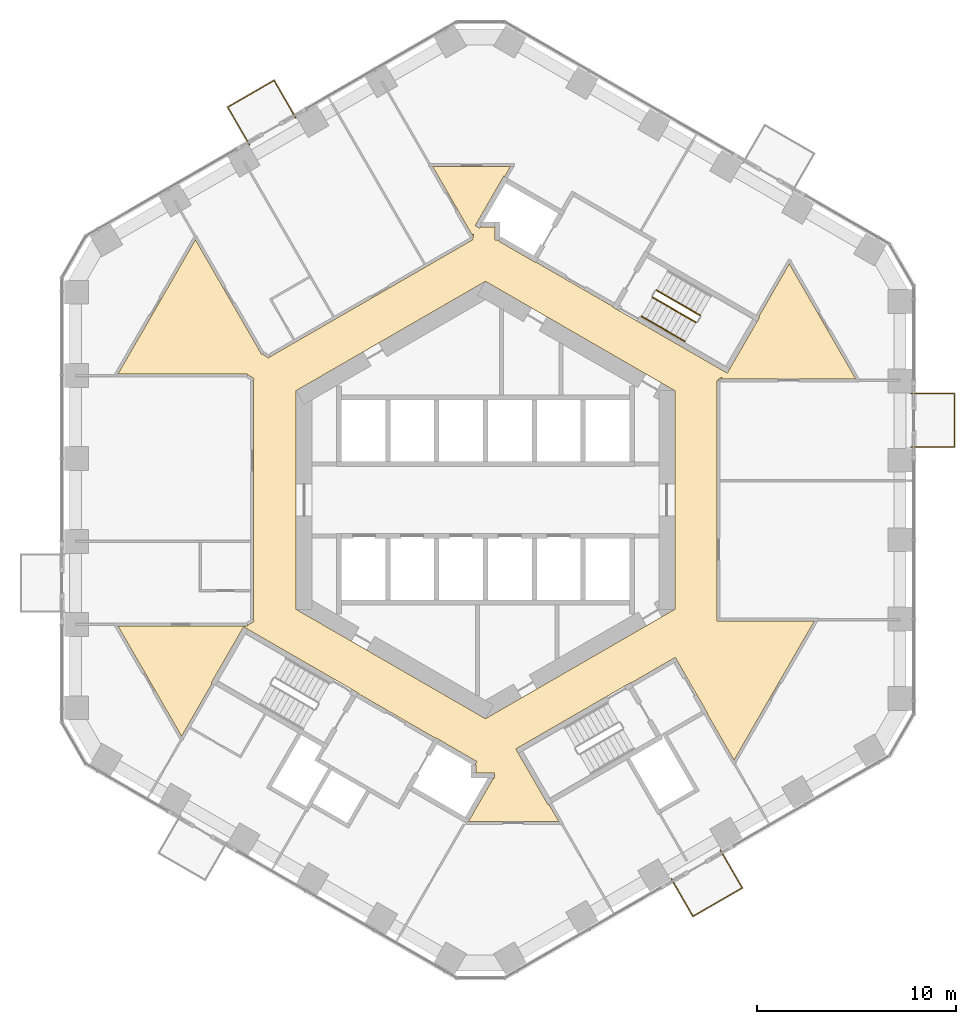
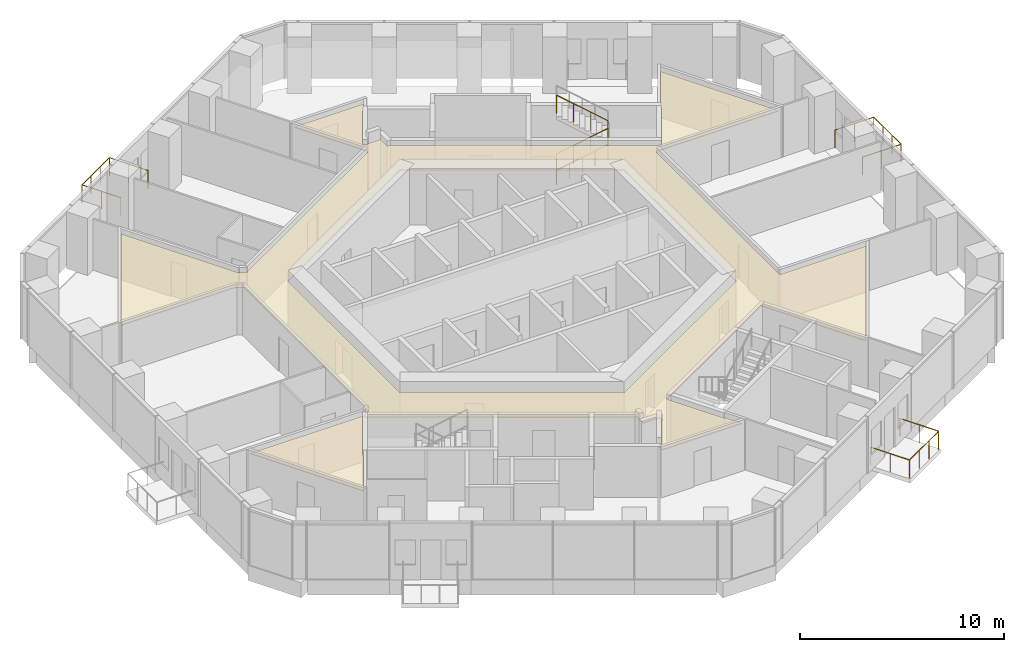
# One storey, part 18 of 19: 7 railings, 1 covering.
"""IFC4 building model written with IfcOpenShell, lengths in metres."""

import ifcopenshell
import ifcopenshell.guid

model = None  # the IFC model being written
_history = None  # IfcOwnerHistory: only IFC2X3 demands one
_inside = {}  # id of a spatial element -> (the spatial element, [elements in it])
_under = {}  # id of a project, library or spatial element -> (it, [spatial elements below it])
_declared = {}  # id of a project -> (the project, [libraries it declares])
_typed = {}  # id of a type object -> (the type object, [elements of that type])
_made_of = {}  # id of a material, layer set ... -> (it, [elements and type objects made of it])


def new_model(schema):
    """Start an empty IFC model of exactly this schema.

    Asked for "IFC4X3", IfcOpenShell would pick the latest addendum, in which some entities
    have other attributes; the version numbers below select the first issue.
    IFC2X3 requires an IfcOwnerHistory on every rooted entity: one is made here for all.
    """
    global model, _history
    if schema == "IFC4X3":
        model = ifcopenshell.file(schema_version=(4, 3, 0, 0))
    else:
        model = ifcopenshell.file(schema=schema)
    _inside.clear()
    _under.clear()
    _declared.clear()
    _typed.clear()
    _made_of.clear()
    _history = None
    if model.schema == "IFC2X3":
        org = make("IfcOrganization", Name="unknown")
        user = make(
            "IfcPersonAndOrganization",
            ThePerson=make("IfcPerson", FamilyName="unknown"),
            TheOrganization=org,
        )
        app = make(
            "IfcApplication",
            ApplicationDeveloper=org,
            Version="unknown",
            ApplicationFullName="unknown",
            ApplicationIdentifier="unknown",
        )
        _history = make(
            "IfcOwnerHistory",
            OwningUser=user,
            OwningApplication=app,
            ChangeAction="ADDED",
            CreationDate=0,
        )
    return model


def make(cls, **values):
    """One entity of the class cls with the attributes given. An attribute that is None is left unset."""
    return model.create_entity(
        cls, **{name: value for name, value in values.items() if value is not None}
    )


def rooted(cls, **values):
    """An entity with a GlobalId (a new one), such as an element, a storey or a relation."""
    return make(cls, GlobalId=ifcopenshell.guid.new(), OwnerHistory=_history, **values)


def si_unit(unit_type, name, prefix=None):
    """IfcSIUnit, for example si_unit("LENGTHUNIT", "METRE", prefix="MILLI")."""
    return make("IfcSIUnit", UnitType=unit_type, Prefix=prefix, Name=name)


def assignment(units):
    """IfcUnitAssignment: the units of a project."""
    return None if units is None else make("IfcUnitAssignment", Units=units)


def point(xyz):
    """IfcCartesianPoint."""
    return None if xyz is None else make("IfcCartesianPoint", Coordinates=xyz)


def direction(xyz):
    """IfcDirection."""
    return None if xyz is None else make("IfcDirection", DirectionRatios=xyz)


def frame(location, z_axis=None, x_axis=None):
    """IfcAxis2Placement3D, a coordinate frame: its origin and axes. An axis left out is left unset."""
    return make(
        "IfcAxis2Placement3D",
        Location=point(location),
        Axis=direction(z_axis),
        RefDirection=direction(x_axis),
    )


def frame_2d(location, x_axis=None):
    """IfcAxis2Placement2D, a coordinate frame in the plane: its origin and x axis."""
    return make(
        "IfcAxis2Placement2D", Location=point(location), RefDirection=direction(x_axis)
    )


def origin():
    """The frame at (0, 0, 0) with its axes left unset."""
    return frame((0.0, 0.0, 0.0))


def origin_2d():
    """The frame at (0, 0) in the plane with its x axis left unset."""
    return frame_2d((0.0, 0.0))


def place(relative_to, where):
    """IfcLocalPlacement: puts the frame where relative to a parent placement (None: the world)."""
    return make(
        "IfcLocalPlacement", PlacementRelTo=relative_to, RelativePlacement=where
    )


def context(
    kind, dimensions, precision=None, world=None, true_north=None, identifier=None
):
    """IfcGeometricRepresentationContext, for example the 3D "Model" context."""
    return make(
        "IfcGeometricRepresentationContext",
        ContextIdentifier=identifier,
        ContextType=kind,
        CoordinateSpaceDimension=dimensions,
        Precision=precision,
        WorldCoordinateSystem=world,
        TrueNorth=true_north,
    )


def subcontext(parent, identifier, kind, view, scale=None):
    """IfcGeometricRepresentationSubContext, for example "Body" below "Model"."""
    return make(
        "IfcGeometricRepresentationSubContext",
        ContextIdentifier=identifier,
        ContextType=kind,
        ParentContext=parent,
        TargetScale=scale,
        TargetView=view,
    )


def project(units=None, contexts=None):
    """IfcProject with its units and contexts."""
    return rooted(
        "IfcProject",
        Name="project",
        RepresentationContexts=contexts,
        UnitsInContext=assignment(units),
    )


def spatial(cls, under=None, at=None, **own):
    """A site, building, storey or space (cls), placed at a placement, below another one or the project."""
    s = rooted(cls, ObjectPlacement=at, **own)
    if under is not None:
        _under.setdefault(under.id(), (under, []))[1].append(s)
    return s


def polyline(points):
    """IfcPolyline through the points."""
    return make("IfcPolyline", Points=[point(p) for p in points])


def profile(cls, at=None, kind="AREA", **sizes):
    """A parametric profile (cls). Its sizes go by their IFC names, for example OverallWidth=200.0."""
    return make(cls, ProfileType=kind, Position=at, **sizes)


def circle(**sizes):
    """IfcCircleProfileDef."""
    return profile("IfcCircleProfileDef", **sizes)


def outline(outer, holes=None, kind="AREA"):
    """IfcArbitraryClosedProfileDef: a profile drawn as a closed curve; with holes, ...WithVoids."""
    if holes is None:
        return make("IfcArbitraryClosedProfileDef", ProfileType=kind, OuterCurve=outer)
    return make(
        "IfcArbitraryProfileDefWithVoids",
        ProfileType=kind,
        OuterCurve=outer,
        InnerCurves=holes,
    )


def extrude(swept, where, along, depth):
    """IfcExtrudedAreaSolid: the profile swept, set in the frame where, extruded along a direction by depth."""
    return make(
        "IfcExtrudedAreaSolid",
        SweptArea=swept,
        Position=where,
        ExtrudedDirection=direction(along),
        Depth=depth,
    )


def shape(context_of_items, identifier, shape_type, items):
    """IfcShapeRepresentation: the items that make up one representation, for example the "Body"."""
    return make(
        "IfcShapeRepresentation",
        ContextOfItems=context_of_items,
        RepresentationIdentifier=identifier,
        RepresentationType=shape_type,
        Items=items,
    )


def material(Name=None, Category=None):
    """IfcMaterial."""
    return make("IfcMaterial", Name=Name, Category=Category)


def layer(
    of_material, thickness, ventilated=None, Name=None, Category=None, Priority=None
):
    """IfcMaterialLayer: one layer of a wall or slab, of a material (None: an air gap)."""
    return make(
        "IfcMaterialLayer",
        Material=of_material,
        LayerThickness=thickness,
        IsVentilated=ventilated,
        Name=Name,
        Category=Category,
        Priority=Priority,
    )


def layer_set(layers, Name=None):
    """IfcMaterialLayerSet."""
    return make("IfcMaterialLayerSet", MaterialLayers=layers, LayerSetName=Name)


def made_of(thing, what):
    """Note that an element or type object is made of a material, layer set ...; save() writes the relation."""
    if what is not None:
        _made_of.setdefault(what.id(), (what, []))[1].append(thing)
    return thing


def type_object(cls, material=None, **own):
    """A type object (cls), such as IfcWallType, which elements share."""
    return made_of(rooted(cls, **own), material)


def element(
    cls,
    number,
    at=None,
    inside=None,
    cuts=None,
    type_object=None,
    material=None,
    context=None,
    identifier="Body",
    shape_type=None,
    held_by="IfcProductDefinitionShape",
    body=None,
    shapes=None,
    **own,
):
    """One element of the class cls, such as IfcWall. Its Tag is "e" and its number.

    at: its placement. inside: the storey or other place that contains it. cuts: it is an
    opening in that element (IfcRelVoidsElement). A single representation is given by context,
    identifier, shape_type and body (its items); several are given by shapes. held_by: the class
    of the entity that holds the representations. save() writes the other relations.
    """
    e = rooted(cls, Tag="e%d" % number, ObjectPlacement=at, **own)
    if body is not None:
        shapes = [shape(context, identifier, shape_type, body)]
    if shapes is not None:
        e.Representation = make(held_by, Representations=shapes)
    if inside is not None:
        _inside.setdefault(inside.id(), (inside, []))[1].append(e)
    if cuts is not None:
        rooted(
            "IfcRelVoidsElement", RelatingBuildingElement=cuts, RelatedOpeningElement=e
        )
    if type_object is not None:
        _typed.setdefault(type_object.id(), (type_object, []))[1].append(e)
    return made_of(e, material)


def aggregate(whole, parts):
    """IfcRelAggregates: a whole, such as a stair, and the parts it consists of."""
    return rooted("IfcRelAggregates", RelatingObject=whole, RelatedObjects=parts)


def save(model, path):
    """Write the relations noted so far, then the file.

    IfcRelAggregates (storeys below a building ...), IfcRelContainedInSpatialStructure (elements
    in a storey), IfcRelDefinesByType, IfcRelAssociatesMaterial and IfcRelDeclares: one each for
    every whole, place, type object, material and project.
    """
    for whole, parts in _under.values():
        aggregate(whole, parts)
    for where, things in _inside.values():
        rooted(
            "IfcRelContainedInSpatialStructure",
            RelatedElements=things,
            RelatingStructure=where,
        )
    for kind, things in _typed.values():
        rooted("IfcRelDefinesByType", RelatedObjects=things, RelatingType=kind)
    for what, things in _made_of.values():
        rooted("IfcRelAssociatesMaterial", RelatedObjects=things, RelatingMaterial=what)
    for by, libraries in _declared.values():
        rooted("IfcRelDeclares", RelatingContext=by, RelatedDefinitions=libraries)
    model.write(path)


model = new_model("IFC4")

# Units and contexts
model_context = context("Model", 3, precision=1e-05, world=origin(), true_north=direction((0.0, 1.0)))
body_context = subcontext(model_context, "Body", "Model", "MODEL_VIEW")
ifc_project = project(units=[si_unit("LENGTHUNIT", "METRE"), si_unit("AREAUNIT", "SQUARE_METRE"), si_unit("VOLUMEUNIT", "CUBIC_METRE"), si_unit("PLANEANGLEUNIT", "RADIAN"), si_unit("MASSUNIT", "GRAM", prefix="KILO")], contexts=[model_context])

# Site, building, storey
site_placement = place(None, origin())
site = spatial("IfcSite", under=ifc_project, at=site_placement, CompositionType="ELEMENT")
building_placement = place(site_placement, origin())
building = spatial("IfcBuilding", under=site, at=building_placement, Name="Ayvan Gate Tower", CompositionType="ELEMENT")
storey_placement = place(building_placement, frame((0.0, 0.0, 39.10009765625)))
storey = spatial("IfcBuildingStorey", under=building, at=storey_placement, Name="L09", CompositionType="ELEMENT", Elevation=39.10009765625)

# Railings
ifc_material_1 = material(Name="Stainless steel 316 and laminated glass", Category="steel")
railing_type_1 = type_object("IfcRailingType", Name="Balcony balustrade 1100", PredefinedType="BALUSTRADE", material=ifc_material_1)
railing_1_placement = place(storey_placement, frame((-9.5078125, 19.145751953125, 0.0)))
element("IfcRailing", 1, at=railing_1_placement, inside=storey, type_object=railing_type_1, Name="Balcony balustrade BAL-L09-2", PredefinedType="BALUSTRADE", context=body_context, shape_type="SweptSolid", body=[
    extrude(circle(Radius=0.02490234375, at=origin_2d()), frame((0.0, 0.0, 1.0751953125), z_axis=(-0.500011965869, 0.866018495177, 0.0), x_axis=(-0.866018495177, -0.500011965869, 0.0)), (0.0, 0.0, 1.0), 2.18994140625),
    extrude(circle(Radius=0.02490234375, at=origin_2d()), frame((-1.094970703125, 1.896484375, 1.0751953125), z_axis=(-0.866051969105, -0.499953984692, 0.0), x_axis=(0.499953984692, -0.866051969105, 0.0)), (0.0, 0.0, 1.0), 2.677490234375),
    extrude(circle(Radius=0.02490234375, at=origin_2d()), frame((-3.413818359375, 0.557861328125, 1.0751953125), z_axis=(0.499963694393, -0.866046363822, 0.0), x_axis=(0.866046363822, 0.499963694393, 0.0)), (0.0, 0.0, 1.0), 2.190185546875),
    extrude(circle(Radius=0.02001953125, at=origin_2d()), origin(), (0.0, 0.0, 1.0), 1.050048828125),
    extrude(circle(Radius=0.02001953125, at=origin_2d()), frame((-0.54736328125, 0.9482421875, 0.0)), (0.0, 0.0, 1.0), 1.050048828125),
    extrude(circle(Radius=0.02001953125, at=origin_2d()), frame((-1.094970703125, 1.896484375, 0.0)), (0.0, 0.0, 1.0), 1.050048828125),
    extrude(circle(Radius=0.02001953125, at=origin_2d()), frame((-1.867919921875, 1.4501953125, 0.0)), (0.0, 0.0, 1.0), 1.050048828125),
    extrude(circle(Radius=0.02001953125, at=origin_2d()), frame((-2.640869140625, 1.004150390625, 0.0)), (0.0, 0.0, 1.0), 1.050048828125),
    extrude(circle(Radius=0.02001953125, at=origin_2d()), frame((-3.413818359375, 0.557861328125, 0.0)), (0.0, 0.0, 1.0), 1.050048828125),
    extrude(circle(Radius=0.02001953125, at=origin_2d()), frame((-2.8662109375, -0.390625, 0.0)), (0.0, 0.0, 1.0), 1.050048828125),
    extrude(circle(Radius=0.02001953125, at=origin_2d()), frame((-2.31884765625, -1.3388671875, 0.0)), (0.0, 0.0, 1.0), 1.050048828125),
])
railing_2_placement = place(storey_placement, frame((9.31787109375, -18.981201171875, 0.0)))
element("IfcRailing", 2, at=railing_2_placement, inside=storey, type_object=railing_type_1, Name="Balcony balustrade BAL-L09-5", PredefinedType="BALUSTRADE", context=body_context, shape_type="SweptSolid", body=[
    extrude(circle(Radius=0.02490234375, at=origin_2d()), frame((0.0, 0.0, 1.0751953125), z_axis=(0.499963694393, -0.866046363822, 0.0), x_axis=(0.866046363822, 0.499963694393, 0.0)), (0.0, 0.0, 1.0), 2.190185546875),
    extrude(circle(Radius=0.02490234375, at=origin_2d()), frame((1.094970703125, -1.896728515625, 1.0751953125), z_axis=(0.866019653938, 0.500009958894, 0.0), x_axis=(-0.500009958894, 0.866019653938, 0.0)), (0.0, 0.0, 1.0), 2.84228515625),
    extrude(circle(Radius=0.02490234375, at=origin_2d()), frame((3.556396484375, -0.4755859375, 1.0751953125), z_axis=(-0.500011965869, 0.866018495177, 0.0), x_axis=(-0.866018495177, -0.500011965869, 0.0)), (0.0, 0.0, 1.0), 2.18994140625),
    extrude(circle(Radius=0.02001953125, at=origin_2d()), origin(), (0.0, 0.0, 1.0), 1.050048828125),
    extrude(circle(Radius=0.02001953125, at=origin_2d()), frame((0.54736328125, -0.9482421875, 0.0)), (0.0, 0.0, 1.0), 1.050048828125),
    extrude(circle(Radius=0.02001953125, at=origin_2d()), frame((1.094970703125, -1.896728515625, 0.0)), (0.0, 0.0, 1.0), 1.050048828125),
    extrude(circle(Radius=0.02001953125, at=origin_2d()), frame((1.91552734375, -1.423095703125, 0.0)), (0.0, 0.0, 1.0), 1.050048828125),
    extrude(circle(Radius=0.02001953125, at=origin_2d()), frame((2.73583984375, -0.94921875, 0.0)), (0.0, 0.0, 1.0), 1.050048828125),
    extrude(circle(Radius=0.02001953125, at=origin_2d()), frame((3.556396484375, -0.4755859375, 0.0)), (0.0, 0.0, 1.0), 1.050048828125),
    extrude(circle(Radius=0.02001953125, at=origin_2d()), frame((3.0087890625, 0.47265625, 0.0)), (0.0, 0.0, 1.0), 1.050048828125),
    extrude(circle(Radius=0.02001953125, at=origin_2d()), frame((2.46142578125, 1.4208984375, 0.0)), (0.0, 0.0, 1.0), 1.050048828125),
])
railing_3_placement = place(storey_placement, frame((21.334716796875, 2.65869140625, 0.0)))
element("IfcRailing", 3, at=railing_3_placement, inside=storey, type_object=railing_type_1, Name="Balcony balustrade BAL-L09-0", PredefinedType="BALUSTRADE", context=body_context, shape_type="SweptSolid", body=[
    extrude(circle(Radius=0.02490234375, at=origin_2d()), frame((0.0, 0.0, 1.0751953125), z_axis=(1.0, 0.0, 0.0), x_axis=(0.0, 1.0, 0.0)), (0.0, 0.0, 1.0), 2.18994140625),
    extrude(circle(Radius=0.02490234375, at=origin_2d()), frame((2.18994140625, 0.0, 1.0751953125), z_axis=(0.0, 1.0, 0.0), x_axis=(-1.0, 0.0, 0.0)), (0.0, 0.0, 1.0), 2.677490234375),
    extrude(circle(Radius=0.02490234375, at=origin_2d()), frame((2.18994140625, 2.677490234375, 1.0751953125), z_axis=(-1.0, 0.0, 0.0), x_axis=(0.0, -1.0, 0.0)), (0.0, 0.0, 1.0), 2.18994140625),
    extrude(circle(Radius=0.02001953125, at=origin_2d()), origin(), (0.0, 0.0, 1.0), 1.050048828125),
    extrude(circle(Radius=0.02001953125, at=origin_2d()), frame((1.094970703125, 0.0, 0.0)), (0.0, 0.0, 1.0), 1.050048828125),
    extrude(circle(Radius=0.02001953125, at=origin_2d()), frame((2.18994140625, 0.0, 0.0)), (0.0, 0.0, 1.0), 1.050048828125),
    extrude(circle(Radius=0.02001953125, at=origin_2d()), frame((2.18994140625, 0.892578125, 0.0)), (0.0, 0.0, 1.0), 1.050048828125),
    extrude(circle(Radius=0.02001953125, at=origin_2d()), frame((2.18994140625, 1.784912109375, 0.0)), (0.0, 0.0, 1.0), 1.050048828125),
    extrude(circle(Radius=0.02001953125, at=origin_2d()), frame((2.18994140625, 2.677490234375, 0.0)), (0.0, 0.0, 1.0), 1.050048828125),
    extrude(circle(Radius=0.02001953125, at=origin_2d()), frame((1.094970703125, 2.677490234375, 0.0)), (0.0, 0.0, 1.0), 1.050048828125),
    extrude(circle(Radius=0.02001953125, at=origin_2d()), frame((0.0, 2.677490234375, 0.0)), (0.0, 0.0, 1.0), 1.050048828125),
])

# Covering
ifc_material_2 = material(Name="Plasterboard suspended ceiling")
ifc_layer = layer(ifc_material_2, 0.050048828125)
ifc_layer_set = layer_set([ifc_layer], Name="Plasterboard suspended ceiling")
covering_type = type_object("IfcCoveringType", Name="CT-SUSP-50", PredefinedType="CEILING", material=ifc_layer_set)
covering_placement = place(storey_placement, frame((0.0, 0.0, 2.699951171875)))
element("IfcCovering", 4, at=covering_placement, inside=storey, type_object=covering_type, Name="Ceiling Ring Corridor L09", PredefinedType="CEILING", context=body_context, shape_type="SweptSolid", body=[
    extrude(outline(polyline([(-11.938232421875, -6.222900390625), (-11.91064453125, -6.2705078125), (-11.597412109375, -6.089599609375), (-11.656494140625, -5.9873046875), (-11.625, -5.9873046875), (-11.625, 5.9873046875), (-11.656494140625, 5.9873046875), (-11.597412109375, 6.089599609375), (-11.91064453125, 6.2705078125), (-11.938232421875, 6.222900390625), (-11.938232421875, 6.318115234375), (-18.4345703125, 6.318115234375), (-14.54638671875, 13.052490234375), (-11.230224609375, 7.30859375), (-11.203857421875, 7.323974609375), (-10.867919921875, 7.117919921875), (-10.805419921875, 7.219970703125), (-10.790283203125, 7.193603515625), (-0.619384765625, 13.065673828125), (-0.656982421875, 13.130615234375), (-0.60009765625, 13.16357421875), (-0.60009765625, 13.36083984375), (-0.651611328125, 13.271240234375), (-2.64501953125, 16.723876953125), (1.255126953125, 16.723876953125), (0.962158203125, 16.216552734375), (0.918701171875, 16.241455078125), (-0.511474609375, 13.76416015625), (-0.294921875, 13.63916015625), (-0.215576171875, 13.776611328125), (-0.215576171875, 13.68505859375), (0.47509765625, 13.68505859375), (0.47509765625, 13.03857421875), (0.672119140625, 13.03857421875), (0.645751953125, 12.992919921875), (2.518310546875, 11.91162109375), (2.53076171875, 11.933349609375), (6.384521484375, 9.70849609375), (6.3720703125, 9.686767578125), (6.588623046875, 9.561767578125), (12.131103515625, 6.36181640625), (12.24609375, 6.56103515625), (13.631103515625, 8.959716796875), (13.756103515625, 9.176513671875), (13.712890625, 9.201416015625), (15.241455078125, 11.848876953125), (18.576904296875, 6.0712890625), (11.819091796875, 6.0712890625), (11.870849609375, 6.160888671875), (11.699951171875, 6.062255859375), (11.699951171875, 5.996337890625), (11.625, 5.996337890625), (11.625, -6.0712890625), (16.49853515625, -6.0712890625), (12.47021484375, -13.048828125), (11.102294921875, -10.6796875), (11.123779296875, -10.667236328125), (9.623779296875, -8.069091796875), (9.52392578125, -7.89599609375), (7.2939453125, -9.183349609375), (7.281494140625, -9.16162109375), (1.522216796875, -12.48681640625), (1.647216796875, -12.703369140625), (3.147216796875, -15.30126953125), (3.190673828125, -15.2763671875), (3.679931640625, -16.123779296875), (-0.850830078125, -16.123779296875), (-0.803955078125, -16.042236328125), (0.386474609375, -13.980712890625), (0.30712890625, -13.93505859375), (0.465576171875, -13.93505859375), (0.465576171875, -13.68505859375), (-0.47509765625, -13.68505859375), (-0.47509765625, -13.28857421875), (-0.52783203125, -13.28857421875), (-0.42919921875, -13.117919921875), (-2.284423828125, -12.046630859375), (-2.518310546875, -11.91162109375), (-2.53076171875, -11.933349609375), (-6.384521484375, -9.70849609375), (-6.3720703125, -9.686767578125), (-11.897216796875, -6.49658203125), (-12.131103515625, -6.36181640625), (-13.756103515625, -9.17626953125), (-13.712890625, -9.201416015625), (-15.241455078125, -11.848876953125), (-18.4345703125, -6.318115234375), (-11.938232421875, -6.318115234375), (-11.938232421875, -6.222900390625)]), holes=[polyline([(-2.808349609375, -9.34814453125), (0.0, -10.9697265625), (2.808349609375, -9.34814453125), (9.5, -5.48486328125), (9.5, 5.48486328125), (2.808349609375, 9.34814453125), (0.0, 10.9697265625), (-2.808349609375, 9.34814453125), (-9.5, 5.48486328125), (-9.5, -5.48486328125), (-2.808349609375, -9.34814453125)])]), origin(), (0.0, 0.0, 1.0), 0.050048828125),
])

# Railings
ifc_material_3 = material(Name="Stainless steel balustrade", Category="steel")
railing_type_2 = type_object("IfcRailingType", Name="RL-GUARD-1100", PredefinedType="GUARDRAIL", material=ifc_material_3)
railing_4_placement = place(storey_placement, frame((8.381103515625, 10.16650390625, 0.169921875)))
element("IfcRailing", 5, at=railing_4_placement, inside=storey, type_object=railing_type_2, Name="L09 STS1 stair guard 1", PredefinedType="GUARDRAIL", context=body_context, shape_type="SweptSolid", body=[
    extrude(circle(Radius=0.02392578125, at=origin_2d()), frame((0.0, 0.0, 1.076171875), z_axis=(0.740261155115, -0.427395438142, 0.518986090067), x_axis=(0.500004791531, 0.866022637375, 0.0)), (0.0, 0.0, 1.0), 2.947998046875),
    extrude(circle(Radius=0.02099609375, at=origin_2d()), origin(), (0.0, 0.0, 1.0), 1.052001953125),
    extrude(circle(Radius=0.02099609375, at=origin_2d()), frame((0.7275390625, -0.419921875, 0.510009765625)), (0.0, 0.0, 1.0), 1.052001953125),
    extrude(circle(Radius=0.02099609375, at=origin_2d()), frame((1.454833984375, -0.840087890625, 1.02001953125)), (0.0, 0.0, 1.0), 1.052001953125),
    extrude(circle(Radius=0.02099609375, at=origin_2d()), frame((2.182373046875, -1.260009765625, 1.530029296875)), (0.0, 0.0, 1.0), 1.052001953125),
])
railing_5_placement = place(storey_placement, frame((10.7685546875, 9.261474609375, 1.869873046875)))
element("IfcRailing", 6, at=railing_5_placement, inside=storey, type_object=railing_type_2, Name="L09 STS1 stair guard 3", PredefinedType="GUARDRAIL", context=body_context, shape_type="SweptSolid", body=[
    extrude(circle(Radius=0.02392578125, at=origin_2d()), frame((0.0, 0.0, 1.076171875), z_axis=(-0.740261155115, 0.427395438142, 0.518986090067), x_axis=(-0.500004791531, -0.866022637375, 0.0)), (0.0, 0.0, 1.0), 2.947998046875),
    extrude(circle(Radius=0.02099609375, at=origin_2d()), origin(), (0.0, 0.0, 1.0), 1.052001953125),
    extrude(circle(Radius=0.02099609375, at=origin_2d()), frame((-0.7275390625, 0.419921875, 0.510009765625)), (0.0, 0.0, 1.0), 1.052001953125),
    extrude(circle(Radius=0.02099609375, at=origin_2d()), frame((-1.454833984375, 0.840087890625, 1.02001953125)), (0.0, 0.0, 1.0), 1.052001953125),
    extrude(circle(Radius=0.02099609375, at=origin_2d()), frame((-2.182373046875, 1.260009765625, 1.530029296875)), (0.0, 0.0, 1.0), 1.052001953125),
])
railing_type_3 = type_object("IfcRailingType", Name="RL-HANDRAIL-900", PredefinedType="HANDRAIL", material=ifc_material_3)
railing_6_placement = place(storey_placement, frame((7.8310546875, 9.2138671875, 0.169921875)))
element("IfcRailing", 7, at=railing_6_placement, inside=storey, type_object=railing_type_3, Name="L09 STS1 stair handrail 1", PredefinedType="HANDRAIL", context=body_context, shape_type="SweptSolid", body=[
    extrude(circle(Radius=0.02392578125, at=origin_2d()), frame((0.0, 0.0, 0.8759765625), z_axis=(0.740356597536, -0.427319915356, 0.518912129772), x_axis=(0.499890179513, 0.866088799389, 0.0)), (0.0, 0.0, 1.0), 1.47412109375),
    extrude(circle(Radius=0.02099609375, at=origin_2d()), origin(), (0.0, 0.0, 1.0), 0.851806640625),
    extrude(circle(Radius=0.02099609375, at=origin_2d()), frame((0.545654296875, -0.31494140625, 0.38232421875)), (0.0, 0.0, 1.0), 0.851806640625),
    extrude(circle(Radius=0.02099609375, at=origin_2d()), frame((1.09130859375, -0.6298828125, 0.764892578125)), (0.0, 0.0, 1.0), 0.851806640625),
])
railing_7_placement = place(storey_placement, frame((8.92236328125, 8.583984375, 0.934814453125)))
element("IfcRailing", 8, at=railing_7_placement, inside=storey, type_object=railing_type_3, Name="L09 STS1 stair handrail 2", PredefinedType="HANDRAIL", context=body_context, shape_type="SweptSolid", body=[
    extrude(circle(Radius=0.02392578125, at=origin_2d()), frame((0.0, 0.0, 0.8759765625), z_axis=(0.740165700939, -0.427470949681, 0.519060037311), x_axis=(0.50011940292, 0.865956455501, 0.0)), (0.0, 0.0, 1.0), 1.47412109375),
    extrude(circle(Radius=0.02099609375, at=origin_2d()), origin(), (0.0, 0.0, 1.0), 0.851806640625),
    extrude(circle(Radius=0.02099609375, at=origin_2d()), frame((0.54541015625, -0.31494140625, 0.382568359375)), (0.0, 0.0, 1.0), 0.851806640625),
    extrude(circle(Radius=0.02099609375, at=origin_2d()), frame((1.091064453125, -0.630126953125, 0.76513671875)), (0.0, 0.0, 1.0), 0.851806640625),
])

save(model, "model.ifc")
